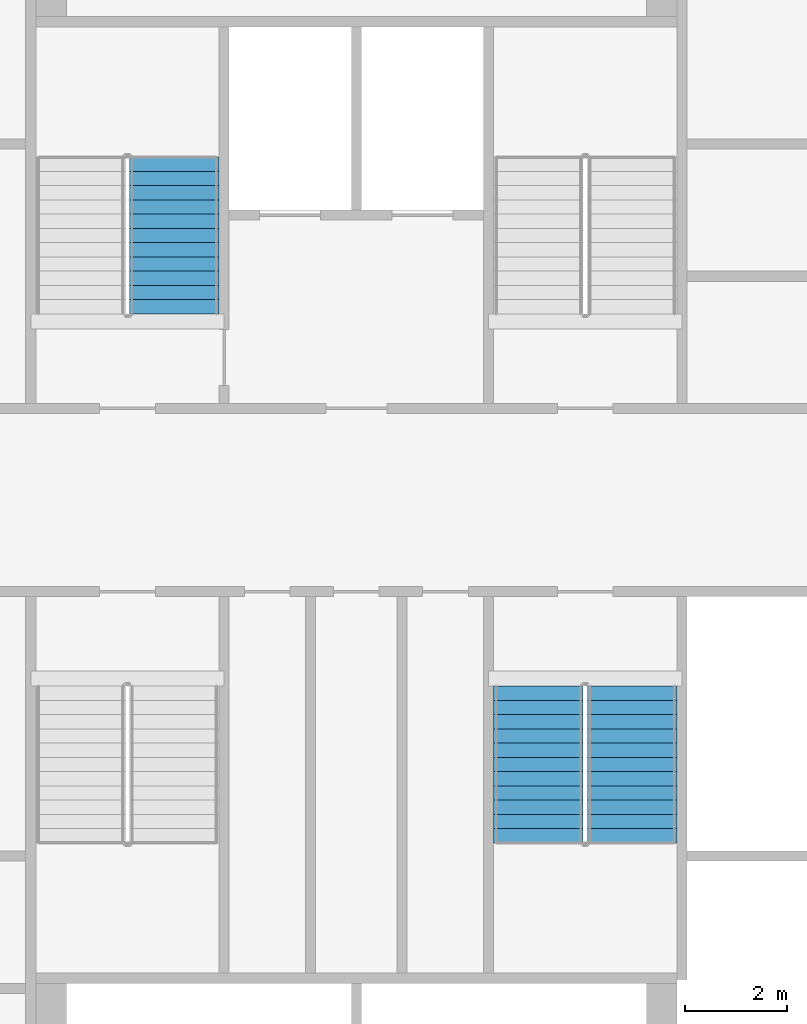
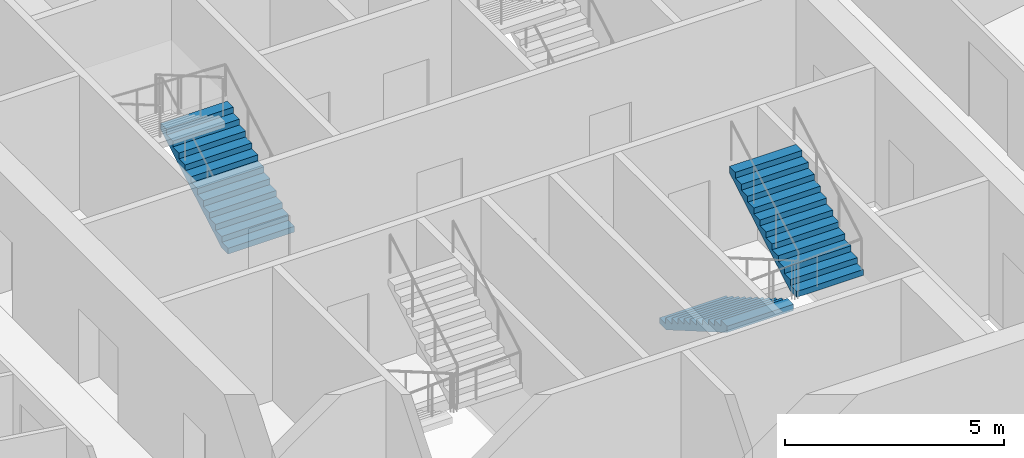
# One storey, part 17 of 23: 3 stair flights, 2 elements without a shape of their own.
"""IFC4 building model written with IfcOpenShell, lengths in metres."""

import ifcopenshell
import ifcopenshell.guid

model = None  # the IFC model being written
_history = None  # IfcOwnerHistory: only IFC2X3 demands one
_inside = {}  # id of a spatial element -> (the spatial element, [elements in it])
_under = {}  # id of a project, library or spatial element -> (it, [spatial elements below it])
_declared = {}  # id of a project -> (the project, [libraries it declares])
_typed = {}  # id of a type object -> (the type object, [elements of that type])
_made_of = {}  # id of a material, layer set ... -> (it, [elements and type objects made of it])


def new_model(schema):
    """Start an empty IFC model of exactly this schema.

    Asked for "IFC4X3", IfcOpenShell would pick the latest addendum, in which some entities
    have other attributes; the version numbers below select the first issue.
    IFC2X3 requires an IfcOwnerHistory on every rooted entity: one is made here for all.
    """
    global model, _history
    if schema == "IFC4X3":
        model = ifcopenshell.file(schema_version=(4, 3, 0, 0))
    else:
        model = ifcopenshell.file(schema=schema)
    _inside.clear()
    _under.clear()
    _declared.clear()
    _typed.clear()
    _made_of.clear()
    _history = None
    if model.schema == "IFC2X3":
        org = make("IfcOrganization", Name="unknown")
        user = make(
            "IfcPersonAndOrganization",
            ThePerson=make("IfcPerson", FamilyName="unknown"),
            TheOrganization=org,
        )
        app = make(
            "IfcApplication",
            ApplicationDeveloper=org,
            Version="unknown",
            ApplicationFullName="unknown",
            ApplicationIdentifier="unknown",
        )
        _history = make(
            "IfcOwnerHistory",
            OwningUser=user,
            OwningApplication=app,
            ChangeAction="ADDED",
            CreationDate=0,
        )
    return model


def make(cls, **values):
    """One entity of the class cls with the attributes given. An attribute that is None is left unset."""
    return model.create_entity(
        cls, **{name: value for name, value in values.items() if value is not None}
    )


def rooted(cls, **values):
    """An entity with a GlobalId (a new one), such as an element, a storey or a relation."""
    return make(cls, GlobalId=ifcopenshell.guid.new(), OwnerHistory=_history, **values)


def si_unit(unit_type, name, prefix=None):
    """IfcSIUnit, for example si_unit("LENGTHUNIT", "METRE", prefix="MILLI")."""
    return make("IfcSIUnit", UnitType=unit_type, Prefix=prefix, Name=name)


def assignment(units):
    """IfcUnitAssignment: the units of a project."""
    return None if units is None else make("IfcUnitAssignment", Units=units)


def point(xyz):
    """IfcCartesianPoint."""
    return None if xyz is None else make("IfcCartesianPoint", Coordinates=xyz)


def direction(xyz):
    """IfcDirection."""
    return None if xyz is None else make("IfcDirection", DirectionRatios=xyz)


def frame(location, z_axis=None, x_axis=None):
    """IfcAxis2Placement3D, a coordinate frame: its origin and axes. An axis left out is left unset."""
    return make(
        "IfcAxis2Placement3D",
        Location=point(location),
        Axis=direction(z_axis),
        RefDirection=direction(x_axis),
    )


def origin():
    """The frame at (0, 0, 0) with its axes left unset."""
    return frame((0.0, 0.0, 0.0))


def place(relative_to, where):
    """IfcLocalPlacement: puts the frame where relative to a parent placement (None: the world)."""
    return make(
        "IfcLocalPlacement", PlacementRelTo=relative_to, RelativePlacement=where
    )


def context(
    kind, dimensions, precision=None, world=None, true_north=None, identifier=None
):
    """IfcGeometricRepresentationContext, for example the 3D "Model" context."""
    return make(
        "IfcGeometricRepresentationContext",
        ContextIdentifier=identifier,
        ContextType=kind,
        CoordinateSpaceDimension=dimensions,
        Precision=precision,
        WorldCoordinateSystem=world,
        TrueNorth=true_north,
    )


def subcontext(parent, identifier, kind, view, scale=None):
    """IfcGeometricRepresentationSubContext, for example "Body" below "Model"."""
    return make(
        "IfcGeometricRepresentationSubContext",
        ContextIdentifier=identifier,
        ContextType=kind,
        ParentContext=parent,
        TargetScale=scale,
        TargetView=view,
    )


def project(units=None, contexts=None):
    """IfcProject with its units and contexts."""
    return rooted(
        "IfcProject",
        Name="project",
        RepresentationContexts=contexts,
        UnitsInContext=assignment(units),
    )


def spatial(cls, under=None, at=None, **own):
    """A site, building, storey or space (cls), placed at a placement, below another one or the project."""
    s = rooted(cls, ObjectPlacement=at, **own)
    if under is not None:
        _under.setdefault(under.id(), (under, []))[1].append(s)
    return s


def faces_of(points, faces, orient=None, outer=None):
    """IfcFace entities. A face is a list of loops; a loop is a list of indices into points, from 0.

    orient and outer hold one flag for each loop. By default every Orientation is true, the
    first loop of a face is its IfcFaceOuterBound and the others are IfcFaceBound.
    """
    made = []
    for i, loops in enumerate(faces):
        bounds = []
        for j, loop in enumerate(loops):
            is_outer = j == 0 if outer is None else outer[i][j]
            bounds.append(
                make(
                    "IfcFaceOuterBound" if is_outer else "IfcFaceBound",
                    Bound=make("IfcPolyLoop", Polygon=[points[k] for k in loop]),
                    Orientation=True if orient is None else orient[i][j],
                )
            )
        made.append(make("IfcFace", Bounds=bounds))
    return made


def faceted_brep(points, faces, orient=None, outer=None, voids=None):
    """IfcFacetedBrep: a solid bounded by flat faces; with voids (closed shells), ...WithVoids."""
    shared = [point(p) for p in points]
    hull = make("IfcClosedShell", CfsFaces=faces_of(shared, faces, orient, outer))
    if voids is None:
        return make("IfcFacetedBrep", Outer=hull)
    return make(
        "IfcFacetedBrepWithVoids",
        Outer=hull,
        Voids=[
            make(cls, CfsFaces=faces_of(shared, fs, o, b)) for cls, fs, o, b in voids
        ],
    )


def shape(context_of_items, identifier, shape_type, items):
    """IfcShapeRepresentation: the items that make up one representation, for example the "Body"."""
    return make(
        "IfcShapeRepresentation",
        ContextOfItems=context_of_items,
        RepresentationIdentifier=identifier,
        RepresentationType=shape_type,
        Items=items,
    )


def material(Name=None, Category=None):
    """IfcMaterial."""
    return make("IfcMaterial", Name=Name, Category=Category)


def made_of(thing, what):
    """Note that an element or type object is made of a material, layer set ...; save() writes the relation."""
    if what is not None:
        _made_of.setdefault(what.id(), (what, []))[1].append(thing)
    return thing


def type_object(cls, material=None, **own):
    """A type object (cls), such as IfcWallType, which elements share."""
    return made_of(rooted(cls, **own), material)


def element(
    cls,
    number,
    at=None,
    inside=None,
    cuts=None,
    type_object=None,
    material=None,
    context=None,
    identifier="Body",
    shape_type=None,
    held_by="IfcProductDefinitionShape",
    body=None,
    shapes=None,
    **own,
):
    """One element of the class cls, such as IfcWall. Its Tag is "e" and its number.

    at: its placement. inside: the storey or other place that contains it. cuts: it is an
    opening in that element (IfcRelVoidsElement). A single representation is given by context,
    identifier, shape_type and body (its items); several are given by shapes. held_by: the class
    of the entity that holds the representations. save() writes the other relations.
    """
    e = rooted(cls, Tag="e%d" % number, ObjectPlacement=at, **own)
    if body is not None:
        shapes = [shape(context, identifier, shape_type, body)]
    if shapes is not None:
        e.Representation = make(held_by, Representations=shapes)
    if inside is not None:
        _inside.setdefault(inside.id(), (inside, []))[1].append(e)
    if cuts is not None:
        rooted(
            "IfcRelVoidsElement", RelatingBuildingElement=cuts, RelatedOpeningElement=e
        )
    if type_object is not None:
        _typed.setdefault(type_object.id(), (type_object, []))[1].append(e)
    return made_of(e, material)


def aggregate(whole, parts):
    """IfcRelAggregates: a whole, such as a stair, and the parts it consists of."""
    return rooted("IfcRelAggregates", RelatingObject=whole, RelatedObjects=parts)


def save(model, path):
    """Write the relations noted so far, then the file.

    IfcRelAggregates (storeys below a building ...), IfcRelContainedInSpatialStructure (elements
    in a storey), IfcRelDefinesByType, IfcRelAssociatesMaterial and IfcRelDeclares: one each for
    every whole, place, type object, material and project.
    """
    for whole, parts in _under.values():
        aggregate(whole, parts)
    for where, things in _inside.values():
        rooted(
            "IfcRelContainedInSpatialStructure",
            RelatedElements=things,
            RelatingStructure=where,
        )
    for kind, things in _typed.values():
        rooted("IfcRelDefinesByType", RelatedObjects=things, RelatingType=kind)
    for what, things in _made_of.values():
        rooted("IfcRelAssociatesMaterial", RelatedObjects=things, RelatingMaterial=what)
    for by, libraries in _declared.values():
        rooted("IfcRelDeclares", RelatingContext=by, RelatedDefinitions=libraries)
    model.write(path)


model = new_model("IFC4")

# Units and contexts
model_context = context("Model", 3, precision=1e-05, world=origin(), true_north=direction((0.0, 1.0)))
body_context = subcontext(model_context, "Body", "Model", "MODEL_VIEW")
ifc_project = project(units=[si_unit("LENGTHUNIT", "METRE"), si_unit("AREAUNIT", "SQUARE_METRE"), si_unit("VOLUMEUNIT", "CUBIC_METRE"), si_unit("PLANEANGLEUNIT", "RADIAN"), si_unit("MASSUNIT", "GRAM", prefix="KILO")], contexts=[model_context])

# Site, building, storey
site_placement = place(None, origin())
site = spatial("IfcSite", under=ifc_project, at=site_placement, CompositionType="ELEMENT")
building_placement = place(site_placement, origin())
building = spatial("IfcBuilding", under=site, at=building_placement, Name="Tarsis Ring Headquarters", CompositionType="ELEMENT")
storey_placement = place(building_placement, frame((0.0, 0.0, 239.39990234375)))
storey = spatial("IfcBuildingStorey", under=building, at=storey_placement, Name="L56", CompositionType="ELEMENT", Elevation=239.39990234375)

# Stair, stair flight
ifc_material_1 = material(Name="Core stair 1760")
stair_type = type_object("IfcStairType", Name="Core stair 1760", PredefinedType="HALF_TURN_STAIR", material=ifc_material_1)
stair_1_placement = place(storey_placement, origin())
stair_1 = element("IfcStair", 1, at=stair_1_placement, inside=storey, type_object=stair_type, Name="L56 Firefighting stair", PredefinedType="HALF_TURN_STAIR")
ifc_material_2 = material(Name="Concrete C40/50", Category="concrete")
stair_flight_type = type_object("IfcStairFlightType", Name="Core stair flight 1760", PredefinedType="STRAIGHT", material=ifc_material_2)
stair_flight_1_placement = place(storey_placement, frame((-3.580078125, 3.659912109375, 0.0), z_axis=(0.0, 0.0, 1.0), x_axis=(0.0, 1.0, 0.0)))
stair_flight_1 = element("IfcStairFlight", 2, at=stair_flight_1_placement, type_object=stair_flight_type, Name="Stair ST1 flight 1", NumberOfRisers=12, NumberOfTreads=11, PredefinedType="STRAIGHT", RiserHeight=0.1625, TreadLength=0.28, context=body_context, shape_type="Brep", body=[
    faceted_brep([(0.0, 0.8798828125, 0.0), (0.0, 0.8798828125, 0.16259765625), (0.280029296875, 0.8798828125, 0.16259765625), (0.280029296875, 0.8798828125, 0.324951171875), (0.56005859375, 0.8798828125, 0.324951171875), (0.56005859375, 0.8798828125, 0.487548828125), (0.840087890625, 0.8798828125, 0.487548828125), (0.840087890625, 0.8798828125, 0.64990234375), (1.1201171875, 0.8798828125, 0.64990234375), (1.1201171875, 0.8798828125, 0.8125), (1.39990234375, 0.8798828125, 0.8125), (1.39990234375, 0.8798828125, 0.97509765625), (1.679931640625, 0.8798828125, 0.97509765625), (1.679931640625, 0.8798828125, 1.137451171875), (1.9599609375, 0.8798828125, 1.137451171875), (1.9599609375, 0.8798828125, 1.300048828125), (2.239990234375, 0.8798828125, 1.300048828125), (2.239990234375, 0.8798828125, 1.46240234375), (2.52001953125, 0.8798828125, 1.46240234375), (2.52001953125, 0.8798828125, 1.625), (2.800048828125, 0.8798828125, 1.625), (2.800048828125, 0.8798828125, 1.78759765625), (3.080078125, 0.8798828125, 1.78759765625), (3.080078125, 0.8798828125, 1.6142578125), (0.298583984375, 0.8798828125, 0.0), (0.298583984375, -0.8798828125, 0.0), (3.080078125, -0.8798828125, 1.6142578125), (3.080078125, -0.8798828125, 1.78759765625), (2.800048828125, -0.8798828125, 1.78759765625), (2.800048828125, -0.8798828125, 1.625), (2.52001953125, -0.8798828125, 1.625), (2.52001953125, -0.8798828125, 1.46240234375), (2.239990234375, -0.8798828125, 1.46240234375), (2.239990234375, -0.8798828125, 1.300048828125), (1.9599609375, -0.8798828125, 1.300048828125), (1.9599609375, -0.8798828125, 1.137451171875), (1.679931640625, -0.8798828125, 1.137451171875), (1.679931640625, -0.8798828125, 0.97509765625), (1.39990234375, -0.8798828125, 0.97509765625), (1.39990234375, -0.8798828125, 0.8125), (1.1201171875, -0.8798828125, 0.8125), (1.1201171875, -0.8798828125, 0.64990234375), (0.840087890625, -0.8798828125, 0.64990234375), (0.840087890625, -0.8798828125, 0.487548828125), (0.56005859375, -0.8798828125, 0.487548828125), (0.56005859375, -0.8798828125, 0.324951171875), (0.280029296875, -0.8798828125, 0.324951171875), (0.280029296875, -0.8798828125, 0.16259765625), (0.0, -0.8798828125, 0.16259765625), (0.0, -0.8798828125, 0.0), (0.0, -0.43994140625, 0.16259765625), (0.0, -0.43994140625, 0.0), (0.0, 0.0, 0.16259765625), (0.0, 0.0, 0.0), (0.0, 0.43994140625, 0.16259765625), (0.0, 0.43994140625, 0.0), (0.280029296875, -0.43994140625, 0.16259765625), (0.280029296875, 0.0, 0.16259765625), (0.280029296875, 0.43994140625, 0.16259765625), (0.280029296875, -0.43994140625, 0.324951171875), (0.280029296875, 0.0, 0.324951171875), (0.280029296875, 0.43994140625, 0.324951171875), (0.56005859375, -0.43994140625, 0.324951171875), (0.56005859375, 0.0, 0.324951171875), (0.56005859375, 0.43994140625, 0.324951171875), (0.56005859375, -0.43994140625, 0.487548828125), (0.56005859375, 0.0, 0.487548828125), (0.56005859375, 0.43994140625, 0.487548828125), (0.840087890625, -0.43994140625, 0.487548828125), (0.840087890625, 0.0, 0.487548828125), (0.840087890625, 0.43994140625, 0.487548828125), (0.840087890625, -0.43994140625, 0.64990234375), (0.840087890625, 0.0, 0.64990234375), (0.840087890625, 0.43994140625, 0.64990234375), (1.1201171875, -0.43994140625, 0.64990234375), (1.1201171875, 0.0, 0.64990234375), (1.1201171875, 0.43994140625, 0.64990234375), (1.1201171875, -0.43994140625, 0.8125), (1.1201171875, 0.0, 0.8125), (1.1201171875, 0.43994140625, 0.8125), (1.39990234375, -0.43994140625, 0.8125), (1.39990234375, 0.0, 0.8125), (1.39990234375, 0.43994140625, 0.8125), (1.39990234375, -0.43994140625, 0.97509765625), (1.39990234375, 0.0, 0.97509765625), (1.39990234375, 0.43994140625, 0.97509765625), (1.679931640625, -0.43994140625, 0.97509765625), (1.679931640625, 0.0, 0.97509765625), (1.679931640625, 0.43994140625, 0.97509765625), (1.679931640625, -0.43994140625, 1.137451171875), (1.679931640625, 0.0, 1.137451171875), (1.679931640625, 0.43994140625, 1.137451171875), (1.9599609375, -0.43994140625, 1.137451171875), (1.9599609375, 0.0, 1.137451171875), (1.9599609375, 0.43994140625, 1.137451171875), (1.9599609375, -0.43994140625, 1.300048828125), (1.9599609375, 0.0, 1.300048828125), (1.9599609375, 0.43994140625, 1.300048828125), (2.239990234375, -0.43994140625, 1.300048828125), (2.239990234375, 0.0, 1.300048828125), (2.239990234375, 0.43994140625, 1.300048828125), (2.239990234375, -0.43994140625, 1.46240234375), (2.239990234375, 0.0, 1.46240234375), (2.239990234375, 0.43994140625, 1.46240234375), (2.52001953125, -0.43994140625, 1.46240234375), (2.52001953125, 0.0, 1.46240234375), (2.52001953125, 0.43994140625, 1.46240234375), (2.52001953125, -0.43994140625, 1.625), (2.52001953125, 0.0, 1.625), (2.52001953125, 0.43994140625, 1.625), (2.800048828125, -0.43994140625, 1.625), (2.800048828125, 0.0, 1.625), (2.800048828125, 0.43994140625, 1.625), (2.800048828125, -0.43994140625, 1.78759765625), (2.800048828125, 0.0, 1.78759765625), (2.800048828125, 0.43994140625, 1.78759765625), (3.080078125, -0.43994140625, 1.78759765625), (3.080078125, 0.0, 1.78759765625), (3.080078125, 0.43994140625, 1.78759765625), (3.080078125, -0.43994140625, 1.6142578125), (3.080078125, 0.0, 1.6142578125), (3.080078125, 0.43994140625, 1.6142578125), (0.298583984375, -0.43994140625, 0.0), (0.298583984375, 0.0, 0.0), (0.298583984375, 0.43994140625, 0.0)], [[[0, 1, 2, 3, 4, 5, 6, 7, 8, 9, 10, 11, 12, 13, 14, 15, 16, 17, 18, 19, 20, 21, 22, 23, 24]], [[25, 26, 27, 28, 29, 30, 31, 32, 33, 34, 35, 36, 37, 38, 39, 40, 41, 42, 43, 44, 45, 46, 47, 48, 49]], [[49, 48, 50, 51]], [[51, 50, 52, 53]], [[53, 52, 54, 55]], [[55, 54, 1, 0]], [[48, 47, 56, 50]], [[50, 56, 57, 52]], [[52, 57, 58, 54]], [[54, 58, 2, 1]], [[47, 46, 59, 56]], [[56, 59, 60, 57]], [[57, 60, 61, 58]], [[58, 61, 3, 2]], [[46, 45, 62, 59]], [[59, 62, 63, 60]], [[60, 63, 64, 61]], [[61, 64, 4, 3]], [[45, 44, 65, 62]], [[62, 65, 66, 63]], [[63, 66, 67, 64]], [[64, 67, 5, 4]], [[44, 43, 68, 65]], [[65, 68, 69, 66]], [[66, 69, 70, 67]], [[67, 70, 6, 5]], [[43, 42, 71, 68]], [[68, 71, 72, 69]], [[69, 72, 73, 70]], [[70, 73, 7, 6]], [[42, 41, 74, 71]], [[71, 74, 75, 72]], [[72, 75, 76, 73]], [[73, 76, 8, 7]], [[41, 40, 77, 74]], [[74, 77, 78, 75]], [[75, 78, 79, 76]], [[76, 79, 9, 8]], [[40, 39, 80, 77]], [[77, 80, 81, 78]], [[78, 81, 82, 79]], [[79, 82, 10, 9]], [[39, 38, 83, 80]], [[80, 83, 84, 81]], [[81, 84, 85, 82]], [[82, 85, 11, 10]], [[38, 37, 86, 83]], [[83, 86, 87, 84]], [[84, 87, 88, 85]], [[85, 88, 12, 11]], [[37, 36, 89, 86]], [[86, 89, 90, 87]], [[87, 90, 91, 88]], [[88, 91, 13, 12]], [[36, 35, 92, 89]], [[89, 92, 93, 90]], [[90, 93, 94, 91]], [[91, 94, 14, 13]], [[35, 34, 95, 92]], [[92, 95, 96, 93]], [[93, 96, 97, 94]], [[94, 97, 15, 14]], [[34, 33, 98, 95]], [[95, 98, 99, 96]], [[96, 99, 100, 97]], [[97, 100, 16, 15]], [[33, 32, 101, 98]], [[98, 101, 102, 99]], [[99, 102, 103, 100]], [[100, 103, 17, 16]], [[32, 31, 104, 101]], [[101, 104, 105, 102]], [[102, 105, 106, 103]], [[103, 106, 18, 17]], [[31, 30, 107, 104]], [[104, 107, 108, 105]], [[105, 108, 109, 106]], [[106, 109, 19, 18]], [[30, 29, 110, 107]], [[107, 110, 111, 108]], [[108, 111, 112, 109]], [[109, 112, 20, 19]], [[29, 28, 113, 110]], [[110, 113, 114, 111]], [[111, 114, 115, 112]], [[112, 115, 21, 20]], [[28, 27, 116, 113]], [[113, 116, 117, 114]], [[114, 117, 118, 115]], [[115, 118, 22, 21]], [[27, 26, 119, 116]], [[116, 119, 120, 117]], [[117, 120, 121, 118]], [[118, 121, 23, 22]], [[26, 25, 122, 119]], [[119, 122, 123, 120]], [[120, 123, 124, 121]], [[121, 124, 24, 23]], [[25, 49, 51, 122]], [[122, 51, 53, 123]], [[123, 53, 55, 124]], [[124, 55, 0, 24]]]),
])
aggregate(stair_1, [stair_flight_1])

# Stair, stair flights
stair_2_placement = place(storey_placement, origin())
stair_2 = element("IfcStair", 3, at=stair_2_placement, inside=storey, type_object=stair_type, Name="L56 Exit stair D", PredefinedType="HALF_TURN_STAIR")
stair_flight_2_placement = place(storey_placement, frame((3.580078125, -3.659912109375, 0.0), z_axis=(0.0, 0.0, 1.0), x_axis=(0.0, -1.0, 0.0)))
stair_flight_2 = element("IfcStairFlight", 4, at=stair_flight_2_placement, type_object=stair_flight_type, Name="Stair ST4 flight 1", NumberOfRisers=12, NumberOfTreads=11, PredefinedType="STRAIGHT", RiserHeight=0.1625, TreadLength=0.28, context=body_context, shape_type="Brep", body=[
    faceted_brep([(0.0, 0.8798828125, 0.0), (0.0, 0.8798828125, 0.16259765625), (0.280029296875, 0.8798828125, 0.16259765625), (0.280029296875, 0.8798828125, 0.324951171875), (0.56005859375, 0.8798828125, 0.324951171875), (0.56005859375, 0.8798828125, 0.487548828125), (0.840087890625, 0.8798828125, 0.487548828125), (0.840087890625, 0.8798828125, 0.64990234375), (1.1201171875, 0.8798828125, 0.64990234375), (1.1201171875, 0.8798828125, 0.8125), (1.39990234375, 0.8798828125, 0.8125), (1.39990234375, 0.8798828125, 0.97509765625), (1.679931640625, 0.8798828125, 0.97509765625), (1.679931640625, 0.8798828125, 1.137451171875), (1.9599609375, 0.8798828125, 1.137451171875), (1.9599609375, 0.8798828125, 1.300048828125), (2.239990234375, 0.8798828125, 1.300048828125), (2.239990234375, 0.8798828125, 1.46240234375), (2.52001953125, 0.8798828125, 1.46240234375), (2.52001953125, 0.8798828125, 1.625), (2.800048828125, 0.8798828125, 1.625), (2.800048828125, 0.8798828125, 1.78759765625), (3.080078125, 0.8798828125, 1.78759765625), (3.080078125, 0.8798828125, 1.6142578125), (0.298583984375, 0.8798828125, 0.0), (0.298583984375, -0.8798828125, 0.0), (3.080078125, -0.8798828125, 1.6142578125), (3.080078125, -0.8798828125, 1.78759765625), (2.800048828125, -0.8798828125, 1.78759765625), (2.800048828125, -0.8798828125, 1.625), (2.52001953125, -0.8798828125, 1.625), (2.52001953125, -0.8798828125, 1.46240234375), (2.239990234375, -0.8798828125, 1.46240234375), (2.239990234375, -0.8798828125, 1.300048828125), (1.9599609375, -0.8798828125, 1.300048828125), (1.9599609375, -0.8798828125, 1.137451171875), (1.679931640625, -0.8798828125, 1.137451171875), (1.679931640625, -0.8798828125, 0.97509765625), (1.39990234375, -0.8798828125, 0.97509765625), (1.39990234375, -0.8798828125, 0.8125), (1.1201171875, -0.8798828125, 0.8125), (1.1201171875, -0.8798828125, 0.64990234375), (0.840087890625, -0.8798828125, 0.64990234375), (0.840087890625, -0.8798828125, 0.487548828125), (0.56005859375, -0.8798828125, 0.487548828125), (0.56005859375, -0.8798828125, 0.324951171875), (0.280029296875, -0.8798828125, 0.324951171875), (0.280029296875, -0.8798828125, 0.16259765625), (0.0, -0.8798828125, 0.16259765625), (0.0, -0.8798828125, 0.0), (0.0, -0.43994140625, 0.16259765625), (0.0, -0.43994140625, 0.0), (0.0, 0.0, 0.16259765625), (0.0, 0.0, 0.0), (0.0, 0.43994140625, 0.16259765625), (0.0, 0.43994140625, 0.0), (0.280029296875, -0.43994140625, 0.16259765625), (0.280029296875, 0.0, 0.16259765625), (0.280029296875, 0.43994140625, 0.16259765625), (0.280029296875, -0.43994140625, 0.324951171875), (0.280029296875, 0.0, 0.324951171875), (0.280029296875, 0.43994140625, 0.324951171875), (0.56005859375, -0.43994140625, 0.324951171875), (0.56005859375, 0.0, 0.324951171875), (0.56005859375, 0.43994140625, 0.324951171875), (0.56005859375, -0.43994140625, 0.487548828125), (0.56005859375, 0.0, 0.487548828125), (0.56005859375, 0.43994140625, 0.487548828125), (0.840087890625, -0.43994140625, 0.487548828125), (0.840087890625, 0.0, 0.487548828125), (0.840087890625, 0.43994140625, 0.487548828125), (0.840087890625, -0.43994140625, 0.64990234375), (0.840087890625, 0.0, 0.64990234375), (0.840087890625, 0.43994140625, 0.64990234375), (1.1201171875, -0.43994140625, 0.64990234375), (1.1201171875, 0.0, 0.64990234375), (1.1201171875, 0.43994140625, 0.64990234375), (1.1201171875, -0.43994140625, 0.8125), (1.1201171875, 0.0, 0.8125), (1.1201171875, 0.43994140625, 0.8125), (1.39990234375, -0.43994140625, 0.8125), (1.39990234375, 0.0, 0.8125), (1.39990234375, 0.43994140625, 0.8125), (1.39990234375, -0.43994140625, 0.97509765625), (1.39990234375, 0.0, 0.97509765625), (1.39990234375, 0.43994140625, 0.97509765625), (1.679931640625, -0.43994140625, 0.97509765625), (1.679931640625, 0.0, 0.97509765625), (1.679931640625, 0.43994140625, 0.97509765625), (1.679931640625, -0.43994140625, 1.137451171875), (1.679931640625, 0.0, 1.137451171875), (1.679931640625, 0.43994140625, 1.137451171875), (1.9599609375, -0.43994140625, 1.137451171875), (1.9599609375, 0.0, 1.137451171875), (1.9599609375, 0.43994140625, 1.137451171875), (1.9599609375, -0.43994140625, 1.300048828125), (1.9599609375, 0.0, 1.300048828125), (1.9599609375, 0.43994140625, 1.300048828125), (2.239990234375, -0.43994140625, 1.300048828125), (2.239990234375, 0.0, 1.300048828125), (2.239990234375, 0.43994140625, 1.300048828125), (2.239990234375, -0.43994140625, 1.46240234375), (2.239990234375, 0.0, 1.46240234375), (2.239990234375, 0.43994140625, 1.46240234375), (2.52001953125, -0.43994140625, 1.46240234375), (2.52001953125, 0.0, 1.46240234375), (2.52001953125, 0.43994140625, 1.46240234375), (2.52001953125, -0.43994140625, 1.625), (2.52001953125, 0.0, 1.625), (2.52001953125, 0.43994140625, 1.625), (2.800048828125, -0.43994140625, 1.625), (2.800048828125, 0.0, 1.625), (2.800048828125, 0.43994140625, 1.625), (2.800048828125, -0.43994140625, 1.78759765625), (2.800048828125, 0.0, 1.78759765625), (2.800048828125, 0.43994140625, 1.78759765625), (3.080078125, -0.43994140625, 1.78759765625), (3.080078125, 0.0, 1.78759765625), (3.080078125, 0.43994140625, 1.78759765625), (3.080078125, -0.43994140625, 1.6142578125), (3.080078125, 0.0, 1.6142578125), (3.080078125, 0.43994140625, 1.6142578125), (0.298583984375, -0.43994140625, 0.0), (0.298583984375, 0.0, 0.0), (0.298583984375, 0.43994140625, 0.0)], [[[0, 1, 2, 3, 4, 5, 6, 7, 8, 9, 10, 11, 12, 13, 14, 15, 16, 17, 18, 19, 20, 21, 22, 23, 24]], [[25, 26, 27, 28, 29, 30, 31, 32, 33, 34, 35, 36, 37, 38, 39, 40, 41, 42, 43, 44, 45, 46, 47, 48, 49]], [[49, 48, 50, 51]], [[51, 50, 52, 53]], [[53, 52, 54, 55]], [[55, 54, 1, 0]], [[48, 47, 56, 50]], [[50, 56, 57, 52]], [[52, 57, 58, 54]], [[54, 58, 2, 1]], [[47, 46, 59, 56]], [[56, 59, 60, 57]], [[57, 60, 61, 58]], [[58, 61, 3, 2]], [[46, 45, 62, 59]], [[59, 62, 63, 60]], [[60, 63, 64, 61]], [[61, 64, 4, 3]], [[45, 44, 65, 62]], [[62, 65, 66, 63]], [[63, 66, 67, 64]], [[64, 67, 5, 4]], [[44, 43, 68, 65]], [[65, 68, 69, 66]], [[66, 69, 70, 67]], [[67, 70, 6, 5]], [[43, 42, 71, 68]], [[68, 71, 72, 69]], [[69, 72, 73, 70]], [[70, 73, 7, 6]], [[42, 41, 74, 71]], [[71, 74, 75, 72]], [[72, 75, 76, 73]], [[73, 76, 8, 7]], [[41, 40, 77, 74]], [[74, 77, 78, 75]], [[75, 78, 79, 76]], [[76, 79, 9, 8]], [[40, 39, 80, 77]], [[77, 80, 81, 78]], [[78, 81, 82, 79]], [[79, 82, 10, 9]], [[39, 38, 83, 80]], [[80, 83, 84, 81]], [[81, 84, 85, 82]], [[82, 85, 11, 10]], [[38, 37, 86, 83]], [[83, 86, 87, 84]], [[84, 87, 88, 85]], [[85, 88, 12, 11]], [[37, 36, 89, 86]], [[86, 89, 90, 87]], [[87, 90, 91, 88]], [[88, 91, 13, 12]], [[36, 35, 92, 89]], [[89, 92, 93, 90]], [[90, 93, 94, 91]], [[91, 94, 14, 13]], [[35, 34, 95, 92]], [[92, 95, 96, 93]], [[93, 96, 97, 94]], [[94, 97, 15, 14]], [[34, 33, 98, 95]], [[95, 98, 99, 96]], [[96, 99, 100, 97]], [[97, 100, 16, 15]], [[33, 32, 101, 98]], [[98, 101, 102, 99]], [[99, 102, 103, 100]], [[100, 103, 17, 16]], [[32, 31, 104, 101]], [[101, 104, 105, 102]], [[102, 105, 106, 103]], [[103, 106, 18, 17]], [[31, 30, 107, 104]], [[104, 107, 108, 105]], [[105, 108, 109, 106]], [[106, 109, 19, 18]], [[30, 29, 110, 107]], [[107, 110, 111, 108]], [[108, 111, 112, 109]], [[109, 112, 20, 19]], [[29, 28, 113, 110]], [[110, 113, 114, 111]], [[111, 114, 115, 112]], [[112, 115, 21, 20]], [[28, 27, 116, 113]], [[113, 116, 117, 114]], [[114, 117, 118, 115]], [[115, 118, 22, 21]], [[27, 26, 119, 116]], [[116, 119, 120, 117]], [[117, 120, 121, 118]], [[118, 121, 23, 22]], [[26, 25, 122, 119]], [[119, 122, 123, 120]], [[120, 123, 124, 121]], [[121, 124, 24, 23]], [[25, 49, 51, 122]], [[122, 51, 53, 123]], [[123, 53, 55, 124]], [[124, 55, 0, 24]]]),
])
stair_flight_3_placement = place(storey_placement, frame((5.419921875, -6.739990234375, 1.9501953125), z_axis=(0.0, 0.0, 1.0), x_axis=(0.0, 1.0, 0.0)))
stair_flight_3 = element("IfcStairFlight", 5, at=stair_flight_3_placement, type_object=stair_flight_type, Name="Stair ST4 flight 2", NumberOfRisers=12, NumberOfTreads=11, PredefinedType="STRAIGHT", RiserHeight=0.1625, TreadLength=0.28, context=body_context, shape_type="Brep", body=[
    faceted_brep([(0.0, 0.8798828125, 0.0), (0.0, 0.8798828125, 0.16259765625), (0.280029296875, 0.8798828125, 0.16259765625), (0.280029296875, 0.8798828125, 0.324951171875), (0.56005859375, 0.8798828125, 0.324951171875), (0.56005859375, 0.8798828125, 0.487548828125), (0.840087890625, 0.8798828125, 0.487548828125), (0.840087890625, 0.8798828125, 0.64990234375), (1.1201171875, 0.8798828125, 0.64990234375), (1.1201171875, 0.8798828125, 0.8125), (1.39990234375, 0.8798828125, 0.8125), (1.39990234375, 0.8798828125, 0.97509765625), (1.679931640625, 0.8798828125, 0.97509765625), (1.679931640625, 0.8798828125, 1.137451171875), (1.9599609375, 0.8798828125, 1.137451171875), (1.9599609375, 0.8798828125, 1.300048828125), (2.239990234375, 0.8798828125, 1.300048828125), (2.239990234375, 0.8798828125, 1.46240234375), (2.52001953125, 0.8798828125, 1.46240234375), (2.52001953125, 0.8798828125, 1.625), (2.800048828125, 0.8798828125, 1.625), (2.800048828125, 0.8798828125, 1.78759765625), (3.080078125, 0.8798828125, 1.78759765625), (3.080078125, 0.8798828125, 1.6142578125), (0.298583984375, 0.8798828125, 0.0), (0.298583984375, -0.8798828125, 0.0), (3.080078125, -0.8798828125, 1.6142578125), (3.080078125, -0.8798828125, 1.78759765625), (2.800048828125, -0.8798828125, 1.78759765625), (2.800048828125, -0.8798828125, 1.625), (2.52001953125, -0.8798828125, 1.625), (2.52001953125, -0.8798828125, 1.46240234375), (2.239990234375, -0.8798828125, 1.46240234375), (2.239990234375, -0.8798828125, 1.300048828125), (1.9599609375, -0.8798828125, 1.300048828125), (1.9599609375, -0.8798828125, 1.137451171875), (1.679931640625, -0.8798828125, 1.137451171875), (1.679931640625, -0.8798828125, 0.97509765625), (1.39990234375, -0.8798828125, 0.97509765625), (1.39990234375, -0.8798828125, 0.8125), (1.1201171875, -0.8798828125, 0.8125), (1.1201171875, -0.8798828125, 0.64990234375), (0.840087890625, -0.8798828125, 0.64990234375), (0.840087890625, -0.8798828125, 0.487548828125), (0.56005859375, -0.8798828125, 0.487548828125), (0.56005859375, -0.8798828125, 0.324951171875), (0.280029296875, -0.8798828125, 0.324951171875), (0.280029296875, -0.8798828125, 0.16259765625), (0.0, -0.8798828125, 0.16259765625), (0.0, -0.8798828125, 0.0), (0.0, -0.43994140625, 0.16259765625), (0.0, -0.43994140625, 0.0), (0.0, 0.0, 0.16259765625), (0.0, 0.0, 0.0), (0.0, 0.43994140625, 0.16259765625), (0.0, 0.43994140625, 0.0), (0.280029296875, -0.43994140625, 0.16259765625), (0.280029296875, 0.0, 0.16259765625), (0.280029296875, 0.43994140625, 0.16259765625), (0.280029296875, -0.43994140625, 0.324951171875), (0.280029296875, 0.0, 0.324951171875), (0.280029296875, 0.43994140625, 0.324951171875), (0.56005859375, -0.43994140625, 0.324951171875), (0.56005859375, 0.0, 0.324951171875), (0.56005859375, 0.43994140625, 0.324951171875), (0.56005859375, -0.43994140625, 0.487548828125), (0.56005859375, 0.0, 0.487548828125), (0.56005859375, 0.43994140625, 0.487548828125), (0.840087890625, -0.43994140625, 0.487548828125), (0.840087890625, 0.0, 0.487548828125), (0.840087890625, 0.43994140625, 0.487548828125), (0.840087890625, -0.43994140625, 0.64990234375), (0.840087890625, 0.0, 0.64990234375), (0.840087890625, 0.43994140625, 0.64990234375), (1.1201171875, -0.43994140625, 0.64990234375), (1.1201171875, 0.0, 0.64990234375), (1.1201171875, 0.43994140625, 0.64990234375), (1.1201171875, -0.43994140625, 0.8125), (1.1201171875, 0.0, 0.8125), (1.1201171875, 0.43994140625, 0.8125), (1.39990234375, -0.43994140625, 0.8125), (1.39990234375, 0.0, 0.8125), (1.39990234375, 0.43994140625, 0.8125), (1.39990234375, -0.43994140625, 0.97509765625), (1.39990234375, 0.0, 0.97509765625), (1.39990234375, 0.43994140625, 0.97509765625), (1.679931640625, -0.43994140625, 0.97509765625), (1.679931640625, 0.0, 0.97509765625), (1.679931640625, 0.43994140625, 0.97509765625), (1.679931640625, -0.43994140625, 1.137451171875), (1.679931640625, 0.0, 1.137451171875), (1.679931640625, 0.43994140625, 1.137451171875), (1.9599609375, -0.43994140625, 1.137451171875), (1.9599609375, 0.0, 1.137451171875), (1.9599609375, 0.43994140625, 1.137451171875), (1.9599609375, -0.43994140625, 1.300048828125), (1.9599609375, 0.0, 1.300048828125), (1.9599609375, 0.43994140625, 1.300048828125), (2.239990234375, -0.43994140625, 1.300048828125), (2.239990234375, 0.0, 1.300048828125), (2.239990234375, 0.43994140625, 1.300048828125), (2.239990234375, -0.43994140625, 1.46240234375), (2.239990234375, 0.0, 1.46240234375), (2.239990234375, 0.43994140625, 1.46240234375), (2.52001953125, -0.43994140625, 1.46240234375), (2.52001953125, 0.0, 1.46240234375), (2.52001953125, 0.43994140625, 1.46240234375), (2.52001953125, -0.43994140625, 1.625), (2.52001953125, 0.0, 1.625), (2.52001953125, 0.43994140625, 1.625), (2.800048828125, -0.43994140625, 1.625), (2.800048828125, 0.0, 1.625), (2.800048828125, 0.43994140625, 1.625), (2.800048828125, -0.43994140625, 1.78759765625), (2.800048828125, 0.0, 1.78759765625), (2.800048828125, 0.43994140625, 1.78759765625), (3.080078125, -0.43994140625, 1.78759765625), (3.080078125, 0.0, 1.78759765625), (3.080078125, 0.43994140625, 1.78759765625), (3.080078125, -0.43994140625, 1.6142578125), (3.080078125, 0.0, 1.6142578125), (3.080078125, 0.43994140625, 1.6142578125), (0.298583984375, -0.43994140625, 0.0), (0.298583984375, 0.0, 0.0), (0.298583984375, 0.43994140625, 0.0)], [[[0, 1, 2, 3, 4, 5, 6, 7, 8, 9, 10, 11, 12, 13, 14, 15, 16, 17, 18, 19, 20, 21, 22, 23, 24]], [[25, 26, 27, 28, 29, 30, 31, 32, 33, 34, 35, 36, 37, 38, 39, 40, 41, 42, 43, 44, 45, 46, 47, 48, 49]], [[49, 48, 50, 51]], [[51, 50, 52, 53]], [[53, 52, 54, 55]], [[55, 54, 1, 0]], [[48, 47, 56, 50]], [[50, 56, 57, 52]], [[52, 57, 58, 54]], [[54, 58, 2, 1]], [[47, 46, 59, 56]], [[56, 59, 60, 57]], [[57, 60, 61, 58]], [[58, 61, 3, 2]], [[46, 45, 62, 59]], [[59, 62, 63, 60]], [[60, 63, 64, 61]], [[61, 64, 4, 3]], [[45, 44, 65, 62]], [[62, 65, 66, 63]], [[63, 66, 67, 64]], [[64, 67, 5, 4]], [[44, 43, 68, 65]], [[65, 68, 69, 66]], [[66, 69, 70, 67]], [[67, 70, 6, 5]], [[43, 42, 71, 68]], [[68, 71, 72, 69]], [[69, 72, 73, 70]], [[70, 73, 7, 6]], [[42, 41, 74, 71]], [[71, 74, 75, 72]], [[72, 75, 76, 73]], [[73, 76, 8, 7]], [[41, 40, 77, 74]], [[74, 77, 78, 75]], [[75, 78, 79, 76]], [[76, 79, 9, 8]], [[40, 39, 80, 77]], [[77, 80, 81, 78]], [[78, 81, 82, 79]], [[79, 82, 10, 9]], [[39, 38, 83, 80]], [[80, 83, 84, 81]], [[81, 84, 85, 82]], [[82, 85, 11, 10]], [[38, 37, 86, 83]], [[83, 86, 87, 84]], [[84, 87, 88, 85]], [[85, 88, 12, 11]], [[37, 36, 89, 86]], [[86, 89, 90, 87]], [[87, 90, 91, 88]], [[88, 91, 13, 12]], [[36, 35, 92, 89]], [[89, 92, 93, 90]], [[90, 93, 94, 91]], [[91, 94, 14, 13]], [[35, 34, 95, 92]], [[92, 95, 96, 93]], [[93, 96, 97, 94]], [[94, 97, 15, 14]], [[34, 33, 98, 95]], [[95, 98, 99, 96]], [[96, 99, 100, 97]], [[97, 100, 16, 15]], [[33, 32, 101, 98]], [[98, 101, 102, 99]], [[99, 102, 103, 100]], [[100, 103, 17, 16]], [[32, 31, 104, 101]], [[101, 104, 105, 102]], [[102, 105, 106, 103]], [[103, 106, 18, 17]], [[31, 30, 107, 104]], [[104, 107, 108, 105]], [[105, 108, 109, 106]], [[106, 109, 19, 18]], [[30, 29, 110, 107]], [[107, 110, 111, 108]], [[108, 111, 112, 109]], [[109, 112, 20, 19]], [[29, 28, 113, 110]], [[110, 113, 114, 111]], [[111, 114, 115, 112]], [[112, 115, 21, 20]], [[28, 27, 116, 113]], [[113, 116, 117, 114]], [[114, 117, 118, 115]], [[115, 118, 22, 21]], [[27, 26, 119, 116]], [[116, 119, 120, 117]], [[117, 120, 121, 118]], [[118, 121, 23, 22]], [[26, 25, 122, 119]], [[119, 122, 123, 120]], [[120, 123, 124, 121]], [[121, 124, 24, 23]], [[25, 49, 51, 122]], [[122, 51, 53, 123]], [[123, 53, 55, 124]], [[124, 55, 0, 24]]]),
])
aggregate(stair_2, [stair_flight_2, stair_flight_3])

save(model, "model.ifc")
